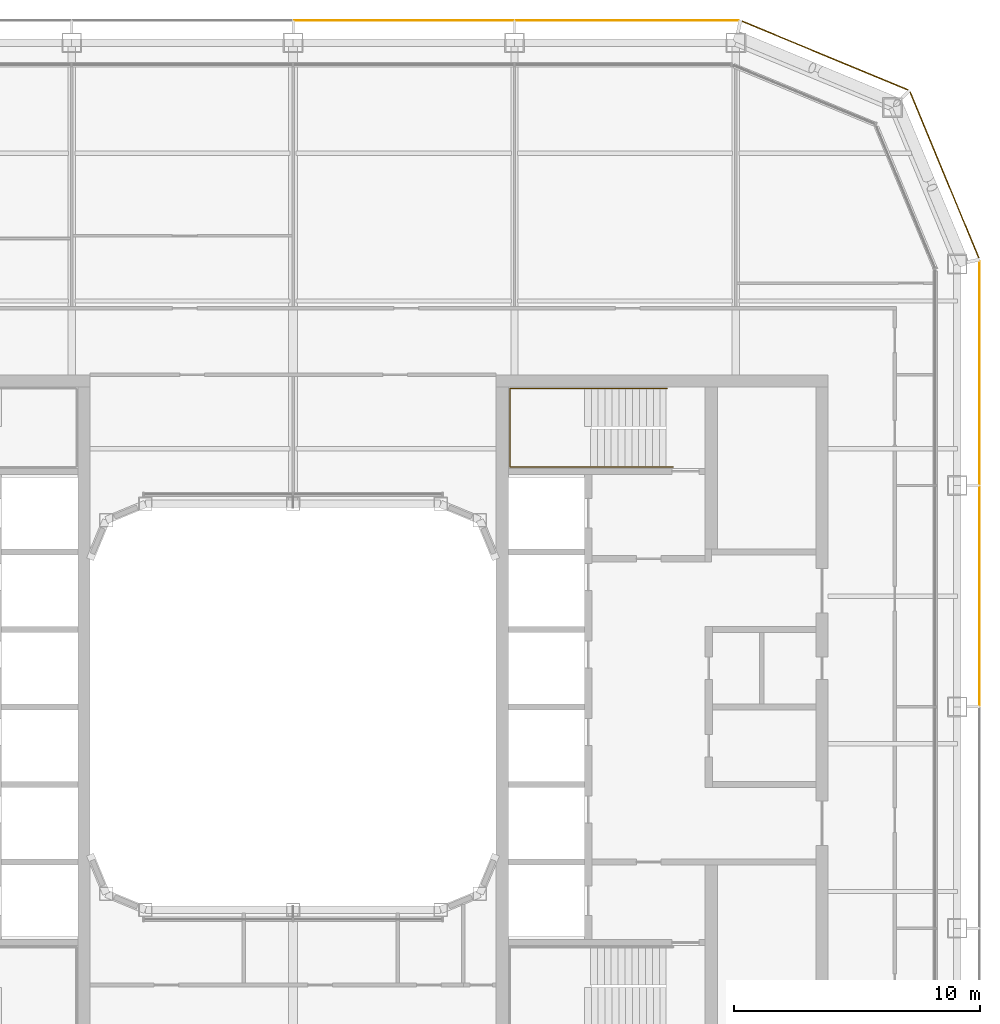
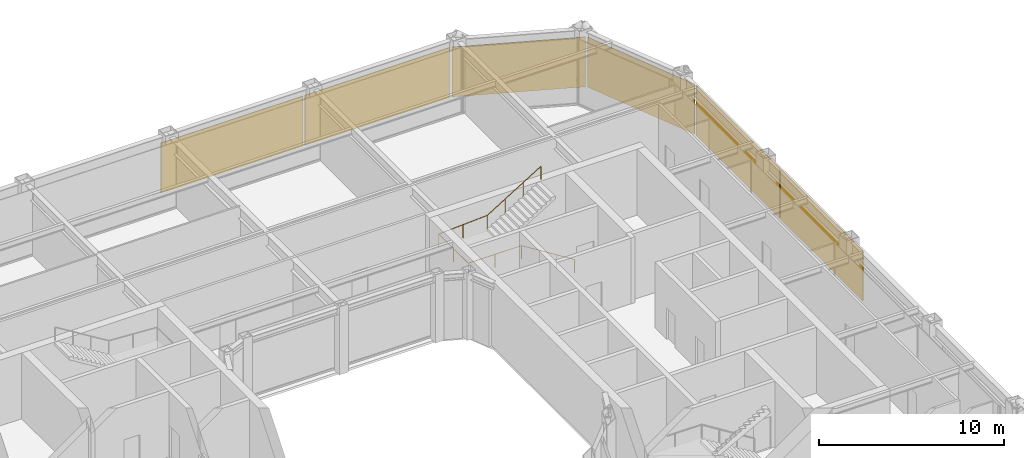
# One storey, part 19 of 19: 6 coverings, 1 railing.
"""IFC4 building model written with IfcOpenShell, lengths in metres."""

from ifc_helpers import new_model, si_unit, direction, frame, origin, origin_2d, place, context, subcontext, project, spatial, rectangle, circle, extrude, material, layer, layer_set, type_object, element, save


model = new_model("IFC4")

# Units and contexts
model_context = context("Model", 3, precision=1e-05, world=origin(), true_north=direction((0.0, 1.0)))
body_context = subcontext(model_context, "Body", "Model", "MODEL_VIEW")
ifc_project = project(units=[si_unit("LENGTHUNIT", "METRE"), si_unit("AREAUNIT", "SQUARE_METRE"), si_unit("VOLUMEUNIT", "CUBIC_METRE"), si_unit("PLANEANGLEUNIT", "RADIAN"), si_unit("MASSUNIT", "GRAM", prefix="KILO")], contexts=[model_context])

# Site, building, storey
site_placement = place(None, origin())
site = spatial("IfcSite", under=ifc_project, at=site_placement, CompositionType="ELEMENT")
building_placement = place(site_placement, origin())
building = spatial("IfcBuilding", under=site, at=building_placement, Name="Siwar Civic Tower", CompositionType="ELEMENT")
storey_placement = place(building_placement, frame((0.0, 0.0, 264.699951171875)))
storey = spatial("IfcBuildingStorey", under=building, at=storey_placement, Name="L57", CompositionType="ELEMENT", Elevation=264.699951171875)

# Railing
ifc_material_1 = material(Name="Stainless steel", Category="steel")
railing_type = type_object("IfcRailingType", Name="CORE-STAIR-HANDRAIL", PredefinedType="HANDRAIL", material=ifc_material_1)
railing_placement = place(storey_placement, frame((15.449951171875, 9.758056640625, 0.173095703125)))
element("IfcRailing", 1, at=railing_placement, inside=storey, type_object=railing_type, Name="Stair handrail ST3", PredefinedType="HANDRAIL", context=body_context, shape_type="SweptSolid", body=[
    extrude(circle(Radius=0.02001953125, at=origin_2d()), frame((0.0, 0.0, 0.8798828125), z_axis=(-0.847063342986, 0.0, 0.531491950051), x_axis=(0.0, -1.0, 0.0)), (0.0, 0.0, 1.0), 3.90771484375),
    extrude(circle(Radius=0.02001953125, at=origin_2d()), frame((-3.31005859375, 0.0, 2.956787109375), z_axis=(-1.0, 0.0, 0.0), x_axis=(0.0, -1.0, 0.0)), (0.0, 0.0, 1.0), 3.331787109375),
    extrude(circle(Radius=0.02001953125, at=origin_2d()), frame((-6.641845703125, 0.0, 2.956787109375), z_axis=(0.0, 1.0, 0.0), x_axis=(-1.0, 0.0, 0.0)), (0.0, 0.0, 1.0), 3.183837890625),
    extrude(circle(Radius=0.02001953125, at=origin_2d()), frame((-6.641845703125, 3.183837890625, 2.956787109375), z_axis=(0.99837434197, 0.0, 0.056997134106), x_axis=(0.0, 1.0, 0.0)), (0.0, 0.0, 1.0), 3.036865234375),
    extrude(circle(Radius=0.02001953125, at=origin_2d()), frame((-3.60986328125, 3.183837890625, 3.1298828125), z_axis=(0.850606129759, 0.0, 0.525803396734), x_axis=(0.0, 1.0, 0.0)), (0.0, 0.0, 1.0), 3.949951171875),
    extrude(circle(Radius=0.02001953125, at=origin_2d()), origin(), (0.0, 0.0, 1.0), 0.85986328125),
    extrude(circle(Radius=0.02001953125, at=origin_2d()), frame((-1.103271484375, 0.0, 0.6923828125)), (0.0, 0.0, 1.0), 0.85986328125),
    extrude(circle(Radius=0.02001953125, at=origin_2d()), frame((-2.206787109375, 0.0, 1.384521484375)), (0.0, 0.0, 1.0), 0.85986328125),
    extrude(circle(Radius=0.02001953125, at=origin_2d()), frame((-3.31005859375, 0.0, 2.076904296875)), (0.0, 0.0, 1.0), 0.85986328125),
    extrude(circle(Radius=0.02001953125, at=origin_2d()), frame((-4.97607421875, 0.0, 2.076904296875)), (0.0, 0.0, 1.0), 0.85986328125),
    extrude(circle(Radius=0.02001953125, at=origin_2d()), frame((-6.641845703125, 0.0, 2.076904296875)), (0.0, 0.0, 1.0), 0.85986328125),
    extrude(circle(Radius=0.02001953125, at=origin_2d()), frame((-6.641845703125, 1.591796875, 2.076904296875)), (0.0, 0.0, 1.0), 0.85986328125),
    extrude(circle(Radius=0.02001953125, at=origin_2d()), frame((-6.641845703125, 3.183837890625, 2.076904296875)), (0.0, 0.0, 1.0), 0.85986328125),
    extrude(circle(Radius=0.02001953125, at=origin_2d()), frame((-5.1259765625, 3.183837890625, 2.16357421875)), (0.0, 0.0, 1.0), 0.85986328125),
    extrude(circle(Radius=0.02001953125, at=origin_2d()), frame((-3.60986328125, 3.183837890625, 2.25)), (0.0, 0.0, 1.0), 0.85986328125),
    extrude(circle(Radius=0.02001953125, at=origin_2d()), frame((-2.489990234375, 3.183837890625, 2.9423828125)), (0.0, 0.0, 1.0), 0.85986328125),
    extrude(circle(Radius=0.02001953125, at=origin_2d()), frame((-1.369873046875, 3.183837890625, 3.634521484375)), (0.0, 0.0, 1.0), 0.85986328125),
    extrude(circle(Radius=0.02001953125, at=origin_2d()), frame((-0.25, 3.183837890625, 4.326904296875)), (0.0, 0.0, 1.0), 0.85986328125),
])

# Coverings
ifc_material_2 = material(Name="Perforated aluminium cassette, pale metal", Category="aluminium")
ifc_layer = layer(ifc_material_2, 0.0400390625)
ifc_layer_set = layer_set([ifc_layer], Name="Perforated aluminium cassette, pale metal")
covering_type = type_object("IfcCoveringType", Name="ENV-OUTER SKIN OS-1", PredefinedType="CLADDING", material=ifc_layer_set)
covering_1_placement = place(storey_placement, frame((27.89990234375, 4.5, -0.14990234375), z_axis=(0.0, 0.0, 1.0), x_axis=(0.0, 1.0, 0.0)))
element("IfcCovering", 2, at=covering_1_placement, inside=storey, type_object=covering_type, Name="OUTER SKIN OS-1 E 3", PredefinedType="CLADDING", context=body_context, shape_type="SweptSolid", body=[
    extrude(rectangle(XDim=8.89990234375, YDim=0.0400390625, at=origin_2d()), origin(), (0.0, 0.0, 1.0), 3.300048828125),
])
covering_2_placement = place(storey_placement, frame((27.89990234375, 13.57958984375, -0.14990234375), z_axis=(0.0, 0.0, 1.0), x_axis=(0.0, 1.0, 0.0)))
element("IfcCovering", 3, at=covering_2_placement, inside=storey, type_object=covering_type, Name="OUTER SKIN OS-1 E 4", PredefinedType="CLADDING", context=body_context, shape_type="SweptSolid", body=[
    extrude(rectangle(XDim=9.05908203125, YDim=0.0400390625, at=origin_2d()), origin(), (0.0, 0.0, 1.0), 3.300048828125),
])
for number, where, z_axis, x_axis, name in (
    (4, (26.476318359375, 21.615966796875, -0.14990234375), (0.0, 0.0, 1.0), (-0.382683432365, 0.923879532511, 0.0), "OUTER SKIN OS-1 NE1 1"),
    (5, (21.615966796875, 26.476318359375, -0.14990234375), (0.0, 0.0, 1.0), (-0.923879532511, 0.382683432365, 0.0), "OUTER SKIN OS-1 NE2 1"),
):
    element("IfcCovering", number, at=place(storey_placement, frame(where, z_axis=z_axis, x_axis=x_axis)), inside=storey, type_object=covering_type, Name=name, PredefinedType="CLADDING", context=body_context, shape_type="SweptSolid", body=[
        extrude(rectangle(XDim=7.300048828125, YDim=0.0400390625, at=origin_2d()), origin(), (0.0, 0.0, 1.0), 3.300048828125),
    ])
covering_3_placement = place(storey_placement, frame((13.57958984375, 27.89990234375, -0.14990234375), z_axis=(0.0, 0.0, 1.0), x_axis=(-1.0, 0.0, 0.0)))
element("IfcCovering", 6, at=covering_3_placement, inside=storey, type_object=covering_type, Name="OUTER SKIN OS-1 N 1", PredefinedType="CLADDING", context=body_context, shape_type="SweptSolid", body=[
    extrude(rectangle(XDim=9.05908203125, YDim=0.0400390625, at=origin_2d()), origin(), (0.0, 0.0, 1.0), 3.300048828125),
])
covering_4_placement = place(storey_placement, frame((4.5, 27.89990234375, -0.14990234375), z_axis=(0.0, 0.0, 1.0), x_axis=(-1.0, 0.0, 0.0)))
element("IfcCovering", 7, at=covering_4_placement, inside=storey, type_object=covering_type, Name="OUTER SKIN OS-1 N 2", PredefinedType="CLADDING", context=body_context, shape_type="SweptSolid", body=[
    extrude(rectangle(XDim=8.89990234375, YDim=0.0400390625, at=origin_2d()), origin(), (0.0, 0.0, 1.0), 3.300048828125),
])

save(model, "model.ifc")
